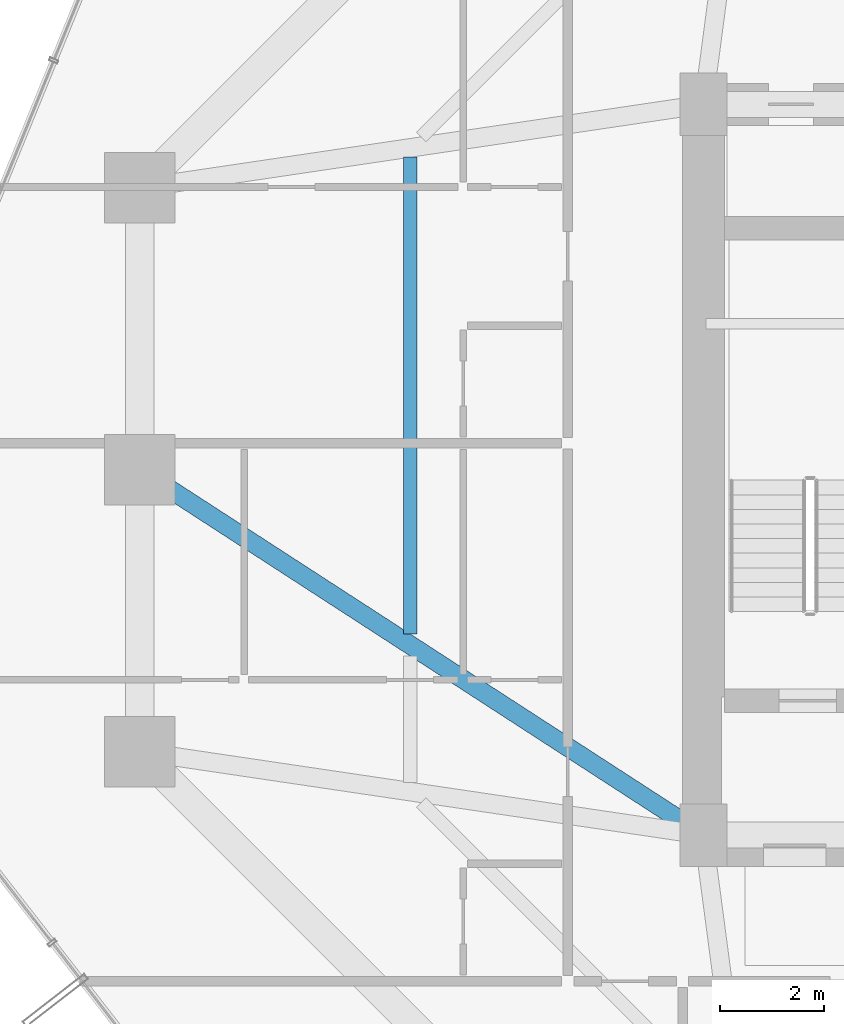
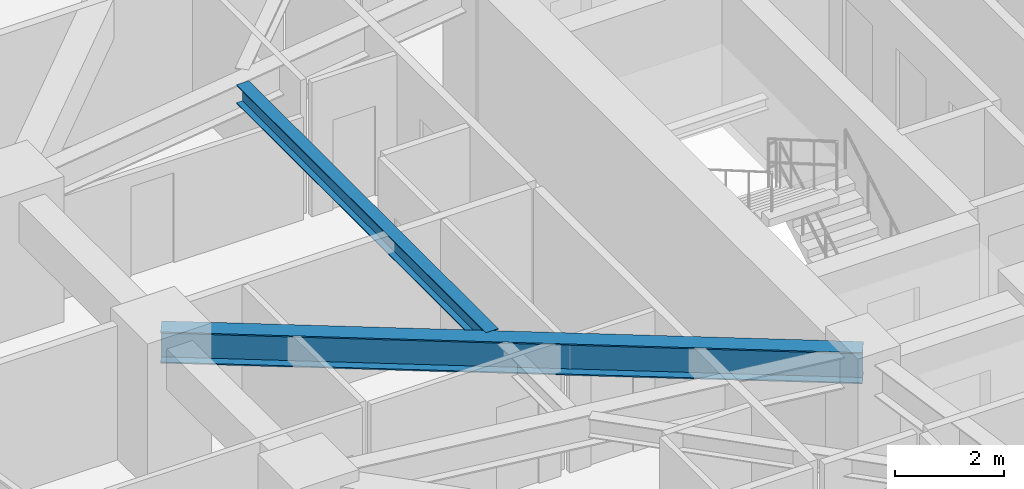
# One storey, part 11 of 37: 2 beams.
"""IFC4 building model written with IfcOpenShell, lengths in metres."""

from ifc_helpers import new_model, si_unit, direction, frame, origin, origin_2d, place, context, subcontext, project, spatial, i_section, extrude, material, material_profile, profile_set, type_object, element, save


model = new_model("IFC4")

# Units and contexts
model_context = context("Model", 3, precision=1e-05, world=origin(), true_north=direction((0.0, 1.0)))
body_context = subcontext(model_context, "Body", "Model", "MODEL_VIEW")
ifc_project = project(units=[si_unit("LENGTHUNIT", "METRE"), si_unit("AREAUNIT", "SQUARE_METRE"), si_unit("VOLUMEUNIT", "CUBIC_METRE"), si_unit("PLANEANGLEUNIT", "RADIAN"), si_unit("MASSUNIT", "GRAM", prefix="KILO")], contexts=[model_context])

# Site, building, storey
site_placement = place(None, origin())
site = spatial("IfcSite", under=ifc_project, at=site_placement, CompositionType="ELEMENT")
building_placement = place(site_placement, origin())
building = spatial("IfcBuilding", under=site, at=building_placement, Name="Veraguas Prism Commons", CompositionType="ELEMENT")
storey_placement = place(building_placement, frame((0.0, 0.0, 50.050048828125)))
storey = spatial("IfcBuildingStorey", under=building, at=storey_placement, Name="L13", CompositionType="ELEMENT", Elevation=50.050048828125)

# Beams
ifc_material = material(Name="Steel ASTM A992 Grade 50", Category="steel")
ifc_material_profile_1 = material_profile(ifc_material, i_section(OverallWidth=0.260986328125, OverallDepth=0.419921875, WebThickness=0.01171875, FlangeThickness=0.019287109375, at=origin_2d()), Name="W410X114")
ifc_profile_set_1 = profile_set([ifc_material_profile_1], Name="Steel ASTM A992 Grade 50")
beam_type_1 = type_object("IfcBeamType", Name="Lower Floor Joist W410x114", PredefinedType="JOIST", material=ifc_profile_set_1)
beam_1_placement = place(storey_placement, frame((11.583984375, 29.989990234375, 2.7900390625), z_axis=(0.0, -1.0, 0.0), x_axis=(1.0, 0.0, 0.0)))
element("IfcBeam", 1, at=beam_1_placement, inside=storey, type_object=beam_type_1, Name="Composite Floor Joist L13-JS07", PredefinedType="JOIST", context=body_context, shape_type="SweptSolid", body=[
    extrude(i_section(OverallWidth=0.260986328125, OverallDepth=0.419921875, WebThickness=0.01171875, FlangeThickness=0.019287109375, at=origin_2d()), origin(), (0.0, 0.0, 1.0), 9.140380859375),
])
ifc_material_profile_2 = material_profile(ifc_material, i_section(OverallWidth=0.35595703125, OverallDepth=0.700927734375, WebThickness=0.016845703125, FlangeThickness=0.02734375, at=origin_2d()), Name="W690X240")
ifc_profile_set_2 = profile_set([ifc_material_profile_2], Name="Steel ASTM A992 Grade 50")
beam_type_2 = type_object("IfcBeamType", Name="Zone 1 Radial Girder W690x240", PredefinedType="BEAM", material=ifc_profile_set_2)
beam_2_placement = place(storey_placement, frame((6.39990234375, 24.0, 2.6494140625), z_axis=(0.839154108875, -0.543893722668, 0.0), x_axis=(0.543893722668, 0.839154108875, 0.0)))
element("IfcBeam", 2, at=beam_2_placement, inside=storey, type_object=beam_type_2, Name="Radial Floor Girder L13-RD08", PredefinedType="BEAM", context=body_context, shape_type="SweptSolid", body=[
    extrude(i_section(OverallWidth=0.35595703125, OverallDepth=0.700927734375, WebThickness=0.016845703125, FlangeThickness=0.02734375, at=origin_2d()), origin(), (0.0, 0.0, 1.0), 12.8701171875),
])

save(model, "model.ifc")
